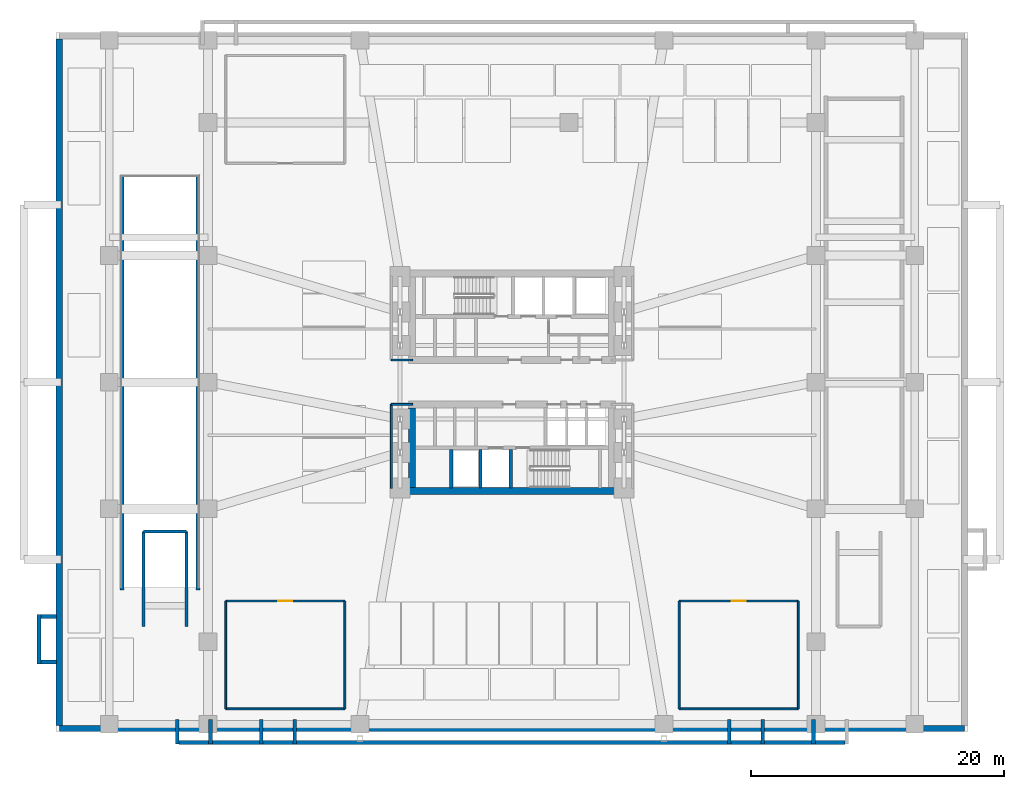
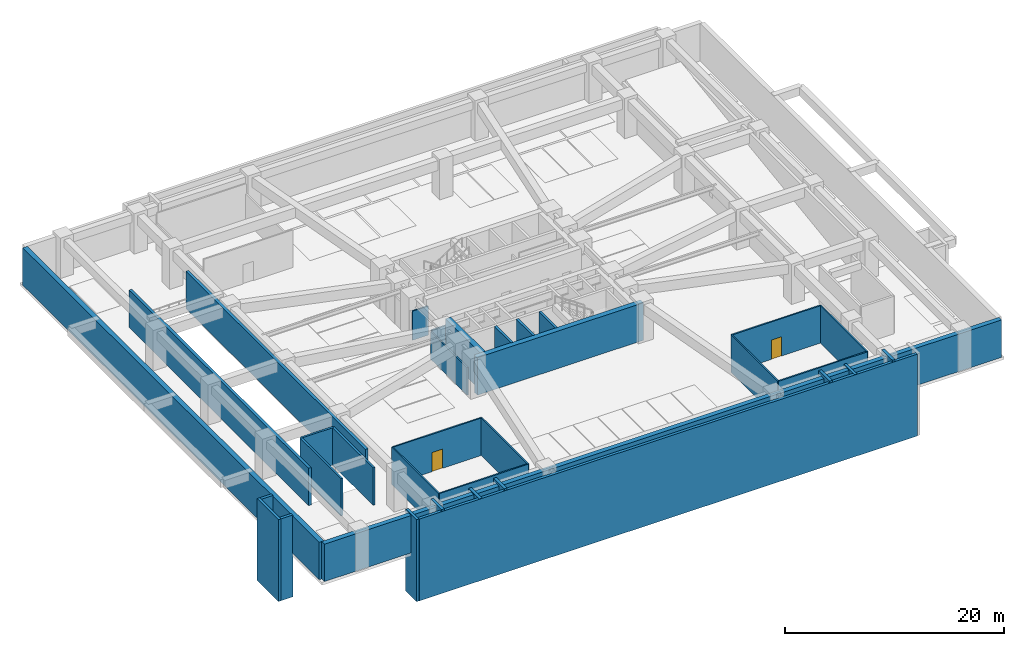
# One storey, part 6 of 13: 34 walls, 2 doors, 2 openings.
"""IFC4 building model written with IfcOpenShell, lengths in metres."""

from ifc_helpers import new_model, si_unit, direction, frame, frame_2d, origin, place, context, subcontext, project, spatial, rectangle, extrude, material, layer, layer_set, type_object, element, fill, save


model = new_model("IFC4")

# Units and contexts
model_context = context("Model", 3, precision=1e-05, world=origin(), true_north=direction((0.0, 1.0)))
body_context = subcontext(model_context, "Body", "Model", "MODEL_VIEW")
ifc_project = project(units=[si_unit("LENGTHUNIT", "METRE"), si_unit("AREAUNIT", "SQUARE_METRE"), si_unit("VOLUMEUNIT", "CUBIC_METRE"), si_unit("PLANEANGLEUNIT", "RADIAN"), si_unit("MASSUNIT", "GRAM", prefix="KILO")], contexts=[model_context])

# Site, building, storey
site_placement = place(None, origin())
site = spatial("IfcSite", under=ifc_project, at=site_placement, CompositionType="ELEMENT")
building_placement = place(site_placement, origin())
building = spatial("IfcBuilding", under=site, at=building_placement, Name="Solmarez Civic Tower", CompositionType="ELEMENT")
storey_placement = place(building_placement, frame((0.0, 0.0, -4.5)))
storey = spatial("IfcBuildingStorey", under=building, at=storey_placement, Name="B1", CompositionType="ELEMENT", Elevation=-4.5)

# Walls
ifc_material_1 = material(Name="Concrete C60/75", Category="concrete")
ifc_layer_1 = layer(ifc_material_1, 0.550048828125)
ifc_layer_set_1 = layer_set([ifc_layer_1], Name="Concrete C60/75")
wall_type_1 = type_object("IfcWallType", Name="WALL-CORE-550", PredefinedType="SHEAR", material=ifc_layer_set_1)
wall_1_placement = place(storey_placement, frame((8.780029296875, -8.5849609375, 0.0), z_axis=(0.0, 0.0, 1.0), x_axis=(-1.0, 0.0, 0.0)))
element("IfcWall", 1, at=wall_1_placement, inside=storey, type_object=wall_type_1, Name="B1 Split-Core Structural Wall SCW-S-B1", PredefinedType="SHEAR", context=body_context, shape_type="SweptSolid", body=[
    extrude(rectangle(XDim=17.56005859375, YDim=0.550048828125, at=frame_2d((8.780029296875, 0.0))), origin(), (0.0, 0.0, 1.0), 4.179931640625),
])
wall_2_placement = place(storey_placement, frame((-7.89501953125, -8.31005859375, 0.0), z_axis=(0.0, 0.0, 1.0), x_axis=(0.0, 1.0, 0.0)))
element("IfcWall", 2, at=wall_2_placement, inside=storey, type_object=wall_type_1, Name="B1 Split-Core Structural Wall SCW-W-B1", PredefinedType="SHEAR", context=body_context, shape_type="SweptSolid", body=[
    extrude(rectangle(XDim=6.28515625, YDim=0.550048828125, at=frame_2d((3.142578125, 0.0))), origin(), (0.0, 0.0, 1.0), 4.179931640625),
])
ifc_material_2 = material(Name="Gypsum Board Acoustic Steel-Stud Partition", Category="steel")
ifc_layer_2 = layer(ifc_material_2, 0.14990234375)
ifc_layer_set_2 = layer_set([ifc_layer_2], Name="Gypsum Board Acoustic Steel-Stud Partition")
wall_type_2 = type_object("IfcWallType", Name="WALL-INT-FIRE-150", PredefinedType="PARTITIONING", material=ifc_layer_set_2)
wall_3_placement = place(storey_placement, frame((-7.85009765625, 1.75, 0.0), z_axis=(0.0, 0.0, 1.0), x_axis=(-1.0, 0.0, 0.0)))
element("IfcWall", 3, at=wall_3_placement, inside=storey, type_object=wall_type_2, Name="B1 Interior Partition CHW-B1-WN3", PredefinedType="PARTITIONING", context=body_context, shape_type="SweptSolid", body=[
    extrude(rectangle(XDim=1.669921875, YDim=0.14990234375, at=frame_2d((0.8349609375, 0.0))), origin(), (0.0, 0.0, 1.0), 3.2451171875),
])
wall_4_placement = place(storey_placement, frame((-9.52001953125, -8.3798828125, 0.0), z_axis=(0.0, 0.0, 1.0), x_axis=(0.0, 1.0, 0.0)))
element("IfcWall", 4, at=wall_4_placement, inside=storey, type_object=wall_type_2, Name="B1 Interior Partition CHW-B1-WS1", PredefinedType="PARTITIONING", context=body_context, shape_type="SweptSolid", body=[
    extrude(rectangle(XDim=6.6298828125, YDim=0.14990234375, at=frame_2d((3.31494140625, 0.0))), origin(), (0.0, 0.0, 1.0), 3.072021484375),
])
wall_5_placement = place(storey_placement, frame((-7.85009765625, -1.75, 0.0), z_axis=(0.0, 0.0, 1.0), x_axis=(-1.0, 0.0, 0.0)))
element("IfcWall", 5, at=wall_5_placement, inside=storey, type_object=wall_type_2, Name="B1 Interior Partition CHW-B1-WS3", PredefinedType="PARTITIONING", context=body_context, shape_type="SweptSolid", body=[
    extrude(rectangle(XDim=1.669921875, YDim=0.14990234375, at=frame_2d((0.8349609375, 0.0))), origin(), (0.0, 0.0, 1.0), 3.2451171875),
])

# Wall, opening, door
wall_6_placement = place(storey_placement, frame((-22.60009765625, -17.280029296875, 0.0), z_axis=(0.0, 0.0, 1.0), x_axis=(1.0, 0.0, 0.0)))
wall_6 = element("IfcWall", 6, at=wall_6_placement, inside=storey, type_object=wall_type_2, Name="B1 Interior Partition PT-B1-SW-F", PredefinedType="PARTITIONING", context=body_context, shape_type="SweptSolid", body=[
    extrude(rectangle(XDim=9.400146484375, YDim=0.14990234375, at=frame_2d((4.7001953125, 0.0))), origin(), (0.0, 0.0, 1.0), 4.179931640625),
])
opening_1_placement = place(wall_6_placement, frame((4.14990234375, 0.0, 0.0)))
opening_1 = element("IfcOpeningElement", 7, at=opening_1_placement, cuts=wall_6, Name="Opening D-07", PredefinedType="OPENING", context=body_context, shape_type="SweptSolid", body=[
    extrude(rectangle(XDim=1.10009765625, YDim=2.14990234375, at=frame_2d((0.550048828125, 1.074951171875))), frame((0.0, 0.0849609375, 0.0), z_axis=(0.0, -1.0, 0.0), x_axis=(1.0, 0.0, 0.0)), (0.0, 0.0, 1.0), 0.169921875),
])
ifc_material_3 = material(Name="Heavy-Duty Fire Exit Door", Category="wood")
door_type = type_object("IfcDoorType", Name="DOOR-FD90-1100", OperationType="NOTDEFINED", PredefinedType="DOOR", material=ifc_material_3)
door_1_placement = place(opening_1_placement, origin())
door_1 = element("IfcDoor", 8, at=door_1_placement, inside=storey, type_object=door_type, Name="B1 Primary Electrical Substation Room Door", OperationType="SINGLE_SWING_LEFT", OverallHeight=2.14990234375, OverallWidth=1.10009765625, PredefinedType="DOOR", context=body_context, shape_type="SweptSolid", body=[
    extrude(rectangle(XDim=1.10009765625, YDim=2.14990234375, at=frame_2d((0.550048828125, 1.074951171875))), frame((0.0, 0.02490234375, 0.0), z_axis=(0.0, -1.0, 0.0), x_axis=(1.0, 0.0, 0.0)), (0.0, 0.0, 1.0), 0.050048828125),
])
fill(opening_1, door_1)

# Walls
for number, where, z_axis, x_axis, name in (
    (9, (-22.60009765625, -25.800048828125, 0.0), (0.0, 0.0, 1.0), (0.0, 1.0, 0.0), "B1 Interior Partition PT-B1-SW-W"),
    (10, (-13.199951171875, -25.800048828125, 0.0), (0.0, 0.0, 1.0), (0.0, 1.0, 0.0), "B1 Interior Partition PT-B1-SW-E"),
):
    element("IfcWall", number, at=place(storey_placement, frame(where, z_axis=z_axis, x_axis=x_axis)), inside=storey, type_object=wall_type_2, Name=name, PredefinedType="PARTITIONING", context=body_context, shape_type="SweptSolid", body=[
        extrude(rectangle(XDim=8.52001953125, YDim=0.14990234375, at=frame_2d((4.260009765625, 0.0))), origin(), (0.0, 0.0, 1.0), 4.179931640625),
    ])
wall_7_placement = place(storey_placement, frame((-22.60009765625, -25.800048828125, 0.0), z_axis=(0.0, 0.0, 1.0), x_axis=(1.0, 0.0, 0.0)))
element("IfcWall", 11, at=wall_7_placement, inside=storey, type_object=wall_type_2, Name="B1 Interior Partition PT-B1-SW-B", PredefinedType="PARTITIONING", context=body_context, shape_type="SweptSolid", body=[
    extrude(rectangle(XDim=9.400146484375, YDim=0.14990234375, at=frame_2d((4.7001953125, 0.0))), origin(), (0.0, 0.0, 1.0), 4.179931640625),
])

# Wall, opening, door
wall_8_placement = place(storey_placement, frame((13.199951171875, -17.280029296875, 0.0), z_axis=(0.0, 0.0, 1.0), x_axis=(1.0, 0.0, 0.0)))
wall_8 = element("IfcWall", 12, at=wall_8_placement, inside=storey, type_object=wall_type_2, Name="B1 Interior Partition PT-B1-SE-F", PredefinedType="PARTITIONING", context=body_context, shape_type="SweptSolid", body=[
    extrude(rectangle(XDim=9.400146484375, YDim=0.14990234375, at=frame_2d((4.7001953125, 0.0))), origin(), (0.0, 0.0, 1.0), 4.179931640625),
])
opening_2_placement = place(wall_8_placement, frame((4.14990234375, 0.0, 0.0)))
opening_2 = element("IfcOpeningElement", 13, at=opening_2_placement, cuts=wall_8, Name="Opening D-07", PredefinedType="OPENING", context=body_context, shape_type="SweptSolid", body=[
    extrude(rectangle(XDim=1.10009765625, YDim=2.14990234375, at=frame_2d((0.550048828125, 1.074951171875))), frame((0.0, 0.0849609375, 0.0), z_axis=(0.0, -1.0, 0.0), x_axis=(1.0, 0.0, 0.0)), (0.0, 0.0, 1.0), 0.169921875),
])
door_2_placement = place(opening_2_placement, origin())
door_2 = element("IfcDoor", 14, at=door_2_placement, inside=storey, type_object=door_type, Name="B1 Emergency Generator and Switchgear Plant Room Door", OperationType="SINGLE_SWING_RIGHT", OverallHeight=2.14990234375, OverallWidth=1.10009765625, PredefinedType="DOOR", context=body_context, shape_type="SweptSolid", body=[
    extrude(rectangle(XDim=1.10009765625, YDim=2.14990234375, at=frame_2d((0.550048828125, 1.074951171875))), frame((0.0, 0.02490234375, 0.0), z_axis=(0.0, -1.0, 0.0), x_axis=(1.0, 0.0, 0.0)), (0.0, 0.0, 1.0), 0.050048828125),
])
fill(opening_2, door_2)

# Walls
for number, where, z_axis, x_axis, name in (
    (15, (13.199951171875, -25.800048828125, 0.0), (0.0, 0.0, 1.0), (0.0, 1.0, 0.0), "B1 Interior Partition PT-B1-SE-W"),
    (16, (22.60009765625, -25.800048828125, 0.0), (0.0, 0.0, 1.0), (0.0, 1.0, 0.0), "B1 Interior Partition PT-B1-SE-E"),
):
    element("IfcWall", number, at=place(storey_placement, frame(where, z_axis=z_axis, x_axis=x_axis)), inside=storey, type_object=wall_type_2, Name=name, PredefinedType="PARTITIONING", context=body_context, shape_type="SweptSolid", body=[
        extrude(rectangle(XDim=8.52001953125, YDim=0.14990234375, at=frame_2d((4.260009765625, 0.0))), origin(), (0.0, 0.0, 1.0), 4.179931640625),
    ])
wall_9_placement = place(storey_placement, frame((13.199951171875, -25.800048828125, 0.0), z_axis=(0.0, 0.0, 1.0), x_axis=(1.0, 0.0, 0.0)))
element("IfcWall", 17, at=wall_9_placement, inside=storey, type_object=wall_type_2, Name="B1 Interior Partition PT-B1-SE-B", PredefinedType="PARTITIONING", context=body_context, shape_type="SweptSolid", body=[
    extrude(rectangle(XDim=9.400146484375, YDim=0.14990234375, at=frame_2d((4.7001953125, 0.0))), origin(), (0.0, 0.0, 1.0), 4.179931640625),
])
ifc_material_4 = material(Name="Concrete C50/60", Category="concrete")
ifc_layer_3 = layer(ifc_material_4, 0.5)
ifc_layer_set_3 = layer_set([ifc_layer_3], Name="Concrete C50/60")
wall_type_3 = type_object("IfcWallType", Name="WALL-RET-500", PredefinedType="USERDEFINED", material=ifc_layer_set_3)
wall_10_placement = place(storey_placement, frame((35.75, -27.35009765625, 0.0), z_axis=(0.0, 0.0, 1.0), x_axis=(-1.0, 0.0, 0.0)))
element("IfcWall", 18, at=wall_10_placement, inside=storey, type_object=wall_type_3, Name="B1 Perimeter Retaining Wall RW-S-B1", ObjectType="RETAININGWALL", PredefinedType="USERDEFINED", context=body_context, shape_type="SweptSolid", body=[
    extrude(rectangle(XDim=71.5, YDim=0.5, at=frame_2d((35.75, 0.0))), origin(), (0.0, 0.0, 1.0), 4.179931640625),
])
wall_11_placement = place(storey_placement, frame((-35.75, -27.10009765625, 0.0), z_axis=(0.0, 0.0, 1.0), x_axis=(0.0, 1.0, 0.0)))
element("IfcWall", 19, at=wall_11_placement, inside=storey, type_object=wall_type_3, Name="B1 Perimeter Retaining Wall RW-W-B1", ObjectType="RETAININGWALL", PredefinedType="USERDEFINED", context=body_context, shape_type="SweptSolid", body=[
    extrude(rectangle(XDim=54.2001953125, YDim=0.5, at=frame_2d((27.10009765625, 0.0))), origin(), (0.0, 0.0, 1.0), 4.179931640625),
])
ifc_layer_4 = layer(ifc_material_4, 0.300048828125)
ifc_layer_set_4 = layer_set([ifc_layer_4], Name="Concrete C50/60")
wall_type_4 = type_object("IfcWallType", Name="WALL-STR-300", PredefinedType="SOLIDWALL", material=ifc_layer_set_4)
for number, where, z_axis, x_axis, name in (
    (20, (-0.10009765625, -8.340087890625, 0.0), (0.0, 0.0, 1.0), (0.0, 1.0, 0.0), "B1 Split-Core Structural Wall SHW-S1-B1"),
    (21, (-2.5, -8.340087890625, 0.0), (0.0, 0.0, 1.0), (0.0, 1.0, 0.0), "B1 Split-Core Structural Wall SHW-S2-B1"),
    (22, (-4.800048828125, -8.340087890625, 0.0), (0.0, 0.0, 1.0), (0.0, 1.0, 0.0), "B1 Split-Core Structural Wall SHW-S3-B1"),
):
    element("IfcWall", number, at=place(storey_placement, frame(where, z_axis=z_axis, x_axis=x_axis)), inside=storey, type_object=wall_type_4, Name=name, PredefinedType="SOLIDWALL", context=body_context, shape_type="SweptSolid", body=[
        extrude(rectangle(XDim=3.0400390625, YDim=0.25, at=frame_2d((1.52001953125, 0.0))), origin(), (0.0, 0.0, 1.0), 4.179931640625),
    ])
for number, where, z_axis, x_axis, name in (
    (23, (-29.10009765625, -19.300048828125, 0.0), (0.0, 0.0, 1.0), (0.0, 1.0, 0.0), "B1 Podium Stair Structural Wall STP1-W"),
    (24, (-25.699951171875, -19.300048828125, 0.0), (0.0, 0.0, 1.0), (0.0, 1.0, 0.0), "B1 Podium Stair Structural Wall STP1-E"),
):
    element("IfcWall", number, at=place(storey_placement, frame(where, z_axis=z_axis, x_axis=x_axis)), inside=storey, type_object=wall_type_4, Name=name, PredefinedType="SOLIDWALL", context=body_context, shape_type="SweptSolid", body=[
        extrude(rectangle(XDim=7.5, YDim=0.219970703125, at=frame_2d((3.75, 0.0))), origin(), (0.0, 0.0, 1.0), 4.179931640625),
    ])
wall_12_placement = place(storey_placement, frame((-29.10009765625, -11.800048828125, 0.0), z_axis=(0.0, 0.0, 1.0), x_axis=(1.0, 0.0, 0.0)))
element("IfcWall", 25, at=wall_12_placement, inside=storey, type_object=wall_type_4, Name="B1 Podium Stair Structural Wall STP1-N", PredefinedType="SOLIDWALL", context=body_context, shape_type="SweptSolid", body=[
    extrude(rectangle(XDim=3.400146484375, YDim=0.219970703125, at=frame_2d((1.7001953125, 0.0))), origin(), (0.0, 0.0, 1.0), 4.179931640625),
])
for number, where, z_axis, x_axis, name in (
    (26, (-30.800048828125, -16.39990234375, 0.0), (0.0, 0.0, 1.0), (0.0, 1.0, 0.0), "B1 Vehicle Ramp Structural Wall SW-VR2-W-B1"),
    (27, (-24.800048828125, -16.39990234375, 0.0), (0.0, 0.0, 1.0), (0.0, 1.0, 0.0), "B1 Vehicle Ramp Structural Wall SW-VR2-E-B1"),
):
    element("IfcWall", number, at=place(storey_placement, frame(where, z_axis=z_axis, x_axis=x_axis)), inside=storey, type_object=wall_type_4, Name=name, PredefinedType="SOLIDWALL", context=body_context, shape_type="SweptSolid", body=[
        extrude(rectangle(XDim=32.7998046875, YDim=0.300048828125, at=frame_2d((16.39990234375, 0.0))), origin(), (0.0, 0.0, 1.0), 4.179931640625),
    ])
wall_13_placement = place(storey_placement, frame((-26.300048828125, -28.449951171875, -4.85009765625), z_axis=(0.0, 0.0, 1.0), x_axis=(1.0, 0.0, 0.0)))
element("IfcWall", 28, at=wall_13_placement, inside=storey, type_object=wall_type_4, Name="B1 Substructure Bearing Wall SW-APR-S1-B1", PredefinedType="SOLIDWALL", context=body_context, shape_type="SweptSolid", body=[
    extrude(rectangle(XDim=52.60009765625, YDim=0.300048828125, at=frame_2d((26.300048828125, 0.0))), origin(), (0.0, 0.0, 1.0), 9.130126953125),
])
wall_14_placement = place(storey_placement, frame((-37.35009765625, -22.25, -4.85009765625), z_axis=(0.0, 0.0, 1.0), x_axis=(0.0, 1.0, 0.0)))
element("IfcWall", 29, at=wall_14_placement, inside=storey, type_object=wall_type_4, Name="B1 Substructure Bearing Wall SW-APR-W1-B1", PredefinedType="SOLIDWALL", context=body_context, shape_type="SweptSolid", body=[
    extrude(rectangle(XDim=3.89990234375, YDim=0.300048828125, at=frame_2d((1.949951171875, 0.0))), origin(), (0.0, 0.0, 1.0), 9.130126953125),
])
for number, where, z_axis, x_axis, name in (
    (30, (-37.2099609375, -22.10009765625, -4.85009765625), (0.0, 0.0, 1.0), (1.0, 0.0, 0.0), "B1 Substructure Bearing Wall SW-APR-W2-B1"),
    (31, (-37.2099609375, -18.5, -4.85009765625), (0.0, 0.0, 1.0), (1.0, 0.0, 0.0), "B1 Substructure Bearing Wall SW-APR-W3-B1"),
):
    element("IfcWall", number, at=place(storey_placement, frame(where, z_axis=z_axis, x_axis=x_axis)), inside=storey, type_object=wall_type_4, Name=name, PredefinedType="SOLIDWALL", context=body_context, shape_type="SweptSolid", body=[
        extrude(rectangle(XDim=1.22998046875, YDim=0.300048828125, at=frame_2d((0.614990234375, 0.0))), origin(), (0.0, 0.0, 1.0), 9.130126953125),
    ])
wall_15_placement = place(storey_placement, frame((-26.43994140625, -28.580078125, -4.85009765625), z_axis=(0.0, 0.0, 1.0), x_axis=(0.0, 1.0, 0.0)))
element("IfcWall", 32, at=wall_15_placement, inside=storey, type_object=wall_type_4, Name="B1 Substructure Bearing Wall SW-AR1-LO-B1", PredefinedType="SOLIDWALL", context=body_context, shape_type="SweptSolid", body=[
    extrude(rectangle(XDim=1.9599609375, YDim=0.300048828125, at=frame_2d((0.97998046875, 0.0))), origin(), (0.0, 0.0, 1.0), 9.14501953125),
])
for number, where, z_axis, x_axis, name in (
    (33, (-23.800048828125, -28.580078125, -4.85009765625), (0.0, 0.0, 1.0), (0.0, 1.0, 0.0), "B1 Substructure Bearing Wall SW-AR1-HI-B1"),
    (34, (23.800048828125, -28.580078125, -4.85009765625), (0.0, 0.0, 1.0), (0.0, 1.0, 0.0), "B1 Substructure Bearing Wall SW-AR2-HI-B1"),
):
    element("IfcWall", number, at=place(storey_placement, frame(where, z_axis=z_axis, x_axis=x_axis)), inside=storey, type_object=wall_type_4, Name=name, PredefinedType="SOLIDWALL", context=body_context, shape_type="SweptSolid", body=[
        extrude(rectangle(XDim=1.9599609375, YDim=0.300048828125, at=frame_2d((0.97998046875, 0.0))), origin(), (0.0, 0.0, 1.0), 9.35009765625),
    ])
wall_16_placement = place(storey_placement, frame((-19.800048828125, -28.580078125, -4.85009765625), z_axis=(0.0, 0.0, 1.0), x_axis=(0.0, 1.0, 0.0)))
element("IfcWall", 35, at=wall_16_placement, inside=storey, type_object=wall_type_4, Name="B1 Substructure Bearing Wall SW-AR4-LO-B1", PredefinedType="SOLIDWALL", context=body_context, shape_type="SweptSolid", body=[
    extrude(rectangle(XDim=1.9599609375, YDim=0.300048828125, at=frame_2d((0.97998046875, 0.0))), origin(), (0.0, 0.0, 1.0), 9.14501953125),
])
wall_17_placement = place(storey_placement, frame((-17.159912109375, -28.580078125, -4.85009765625), z_axis=(0.0, 0.0, 1.0), x_axis=(0.0, 1.0, 0.0)))
element("IfcWall", 36, at=wall_17_placement, inside=storey, type_object=wall_type_4, Name="B1 Substructure Bearing Wall SW-AR4-HI-B1", PredefinedType="SOLIDWALL", context=body_context, shape_type="SweptSolid", body=[
    extrude(rectangle(XDim=1.9599609375, YDim=0.300048828125, at=frame_2d((0.97998046875, 0.0))), origin(), (0.0, 0.0, 1.0), 9.35009765625),
])
wall_18_placement = place(storey_placement, frame((19.800048828125, -28.580078125, -4.85009765625), z_axis=(0.0, 0.0, 1.0), x_axis=(0.0, 1.0, 0.0)))
element("IfcWall", 37, at=wall_18_placement, inside=storey, type_object=wall_type_4, Name="B1 Substructure Bearing Wall SW-AR5-LO-B1", PredefinedType="SOLIDWALL", context=body_context, shape_type="SweptSolid", body=[
    extrude(rectangle(XDim=1.9599609375, YDim=0.300048828125, at=frame_2d((0.97998046875, 0.0))), origin(), (0.0, 0.0, 1.0), 9.14501953125),
])
wall_19_placement = place(storey_placement, frame((17.159912109375, -28.580078125, -4.85009765625), z_axis=(0.0, 0.0, 1.0), x_axis=(0.0, 1.0, 0.0)))
element("IfcWall", 38, at=wall_19_placement, inside=storey, type_object=wall_type_4, Name="B1 Substructure Bearing Wall SW-AR5-HI-B1", PredefinedType="SOLIDWALL", context=body_context, shape_type="SweptSolid", body=[
    extrude(rectangle(XDim=1.9599609375, YDim=0.300048828125, at=frame_2d((0.97998046875, 0.0))), origin(), (0.0, 0.0, 1.0), 9.35009765625),
])

save(model, "model.ifc")
